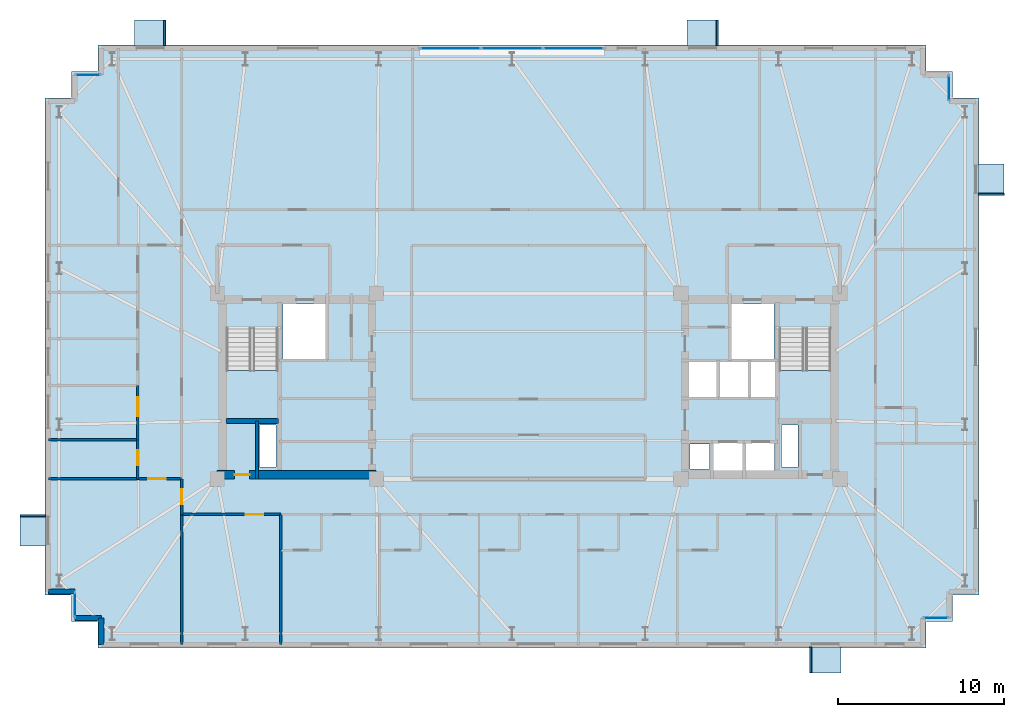
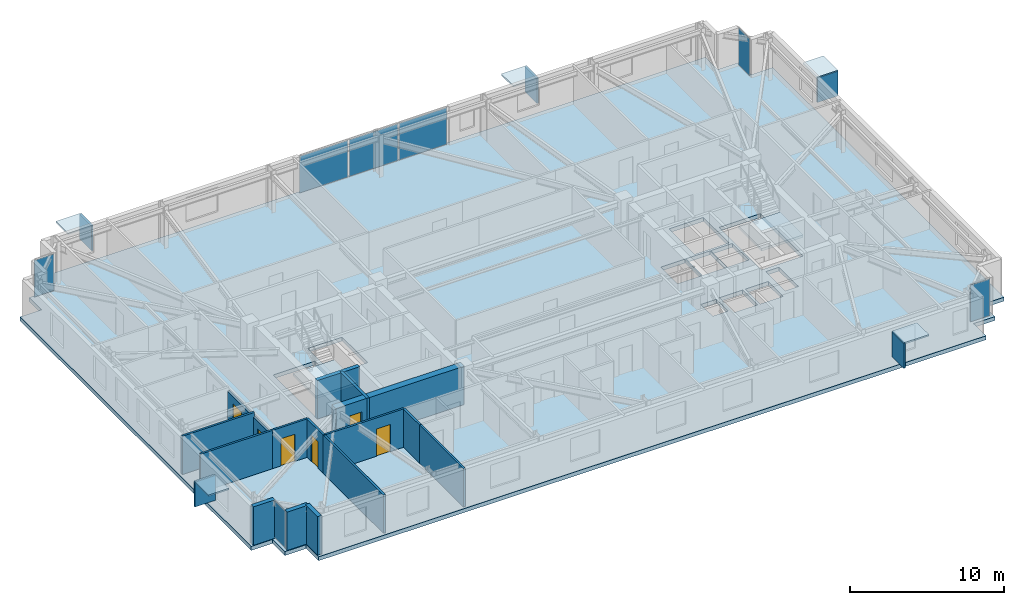
# One storey, part 11 of 18: 17 plates, 16 walls, 6 doors, 3 slabs, 6 openings, 7 elements without a shape of their own.
"""IFC4 building model written with IfcOpenShell, lengths in metres."""

from ifc_helpers import new_model, si_unit, direction, frame, frame_2d, origin, origin_2d, place, context, subcontext, project, spatial, polyline, rectangle, outline, extrude, material, layer, layer_set, type_object, element, fill, aggregate, save


model = new_model("IFC4")

# Units and contexts
model_context = context("Model", 3, precision=1e-05, world=origin(), true_north=direction((0.0, 1.0)))
body_context = subcontext(model_context, "Body", "Model", "MODEL_VIEW")
ifc_project = project(units=[si_unit("LENGTHUNIT", "METRE"), si_unit("AREAUNIT", "SQUARE_METRE"), si_unit("VOLUMEUNIT", "CUBIC_METRE"), si_unit("PLANEANGLEUNIT", "RADIAN"), si_unit("MASSUNIT", "GRAM", prefix="KILO")], contexts=[model_context])

# Site, building, storey
site_placement = place(None, origin())
site = spatial("IfcSite", under=ifc_project, at=site_placement, CompositionType="ELEMENT")
building_placement = place(site_placement, origin())
building = spatial("IfcBuilding", under=site, at=building_placement, Name="Qobustan Lattice House", CompositionType="ELEMENT")
storey_placement = place(building_placement, frame((0.0, 0.0, 154.449951171875)))
storey = spatial("IfcBuildingStorey", under=building, at=storey_placement, Name="L43", CompositionType="ELEMENT", Elevation=154.449951171875)

# Curtain wall, plate
ifc_material_1 = material(Name="Anodised aluminium and low-E glazing", Category="aluminium")
ifc_layer_1 = layer(ifc_material_1, 0.219970703125)
ifc_layer_set_1 = layer_set([ifc_layer_1], Name="Anodised aluminium and low-E glazing")
curtain_wall_type_1 = type_object("IfcCurtainWallType", Name="CW-FAC-02", PredefinedType="USERDEFINED", material=ifc_layer_set_1)
curtain_wall_1_placement = place(storey_placement, origin())
curtain_wall_1 = element("IfcCurtainWall", 1, at=curtain_wall_1_placement, inside=storey, type_object=curtain_wall_type_1, Name="L43 serrated corner faceted glazing 3", ObjectType="CURTAIN WALL", PredefinedType="USERDEFINED")
ifc_material_2 = material(Name="Clear low-E laminated glass", Category="glass")
ifc_layer_2 = layer(ifc_material_2, 0.031982421875)
ifc_layer_set_2 = layer_set([ifc_layer_2], Name="Clear low-E laminated glass")
plate_type_1 = type_object("IfcPlateType", Name="CWP-VISION-32", PredefinedType="CURTAIN_PANEL", material=ifc_layer_set_2)
plate_1_placement = place(storey_placement, frame((-27.39990234375, -13.199951171875, 0.06494140625), z_axis=(0.0, 0.0, 1.0), x_axis=(0.0, 1.0, 0.0)))
plate_1 = element("IfcPlate", 2, at=plate_1_placement, type_object=plate_type_1, Name="CW-F2 panel 1.1", PredefinedType="CURTAIN_PANEL", context=body_context, shape_type="SweptSolid", body=[
    extrude(rectangle(XDim=1.4599609375, YDim=0.031982421875, at=origin_2d()), origin(), (0.0, 0.0, 1.0), 2.909912109375),
])
aggregate(curtain_wall_1, [plate_1])

curtain_wall_2_placement = place(storey_placement, origin())
curtain_wall_2 = element("IfcCurtainWall", 3, at=curtain_wall_2_placement, inside=storey, type_object=curtain_wall_type_1, Name="L43 serrated corner faceted glazing 8", ObjectType="CURTAIN WALL", PredefinedType="USERDEFINED")
plate_2_placement = place(storey_placement, frame((-26.60009765625, 18.800048828125, 0.06494140625), z_axis=(0.0, 0.0, 1.0), x_axis=(1.0, 0.0, 0.0)))
plate_2 = element("IfcPlate", 4, at=plate_2_placement, type_object=plate_type_1, Name="CW-F2 panel 1.1", PredefinedType="CURTAIN_PANEL", context=body_context, shape_type="SweptSolid", body=[
    extrude(rectangle(XDim=1.4599609375, YDim=0.031982421875, at=origin_2d()), origin(), (0.0, 0.0, 1.0), 2.909912109375),
])
aggregate(curtain_wall_2, [plate_2])

# Curtain wall, plates
ifc_material_3 = material(Name="Anodised aluminium and low-E glazing", Category="aluminium")
ifc_layer_3 = layer(ifc_material_3, 0.219970703125)
ifc_layer_set_3 = layer_set([ifc_layer_3], Name="Anodised aluminium and low-E glazing")
curtain_wall_type_2 = type_object("IfcCurtainWallType", Name="CW-IWN-01", PredefinedType="USERDEFINED", material=ifc_layer_set_3)
curtain_wall_3_placement = place(storey_placement, origin())
curtain_wall_3 = element("IfcCurtainWall", 5, at=curtain_wall_3_placement, inside=storey, type_object=curtain_wall_type_2, Name="L43 IWAN-3 walnut-lined iwan curtain wall", ObjectType="CURTAIN WALL", PredefinedType="USERDEFINED")
plate_3_placement = place(storey_placement, frame((-4.71337890625, 20.39990234375, 0.06494140625), z_axis=(0.0, 0.0, 1.0), x_axis=(1.0, 0.0, 0.0)))
plate_3 = element("IfcPlate", 6, at=plate_3_placement, type_object=plate_type_1, Name="CW-IW panel 1.1", PredefinedType="CURTAIN_PANEL", context=body_context, shape_type="SweptSolid", body=[
    extrude(rectangle(XDim=3.61328125, YDim=0.031982421875, at=origin_2d()), origin(), (0.0, 0.0, 1.0), 2.909912109375),
])
plate_4_placement = place(storey_placement, frame((-1.0, 20.39990234375, 0.06494140625), z_axis=(0.0, 0.0, 1.0), x_axis=(1.0, 0.0, 0.0)))
plate_4 = element("IfcPlate", 7, at=plate_4_placement, type_object=plate_type_1, Name="CW-IW panel 2.1", PredefinedType="CURTAIN_PANEL", context=body_context, shape_type="SweptSolid", body=[
    extrude(rectangle(XDim=3.6533203125, YDim=0.031982421875, at=origin_2d()), origin(), (0.0, 0.0, 1.0), 2.909912109375),
])
plate_5_placement = place(storey_placement, frame((2.71337890625, 20.39990234375, 0.06494140625), z_axis=(0.0, 0.0, 1.0), x_axis=(1.0, 0.0, 0.0)))
plate_5 = element("IfcPlate", 8, at=plate_5_placement, type_object=plate_type_1, Name="CW-IW panel 3.1", PredefinedType="CURTAIN_PANEL", context=body_context, shape_type="SweptSolid", body=[
    extrude(rectangle(XDim=3.61328125, YDim=0.031982421875, at=origin_2d()), origin(), (0.0, 0.0, 1.0), 2.909912109375),
])
aggregate(curtain_wall_3, [plate_3, plate_4, plate_5])

# Curtain wall, plate
curtain_wall_4_placement = place(storey_placement, origin())
curtain_wall_4 = element("IfcCurtainWall", 9, at=curtain_wall_4_placement, inside=storey, type_object=curtain_wall_type_1, Name="L43 serrated corner faceted glazing 13", ObjectType="CURTAIN WALL", PredefinedType="USERDEFINED")
plate_6_placement = place(storey_placement, frame((25.39990234375, 18.0, 0.06494140625), z_axis=(0.0, 0.0, 1.0), x_axis=(0.0, -1.0, 0.0)))
plate_6 = element("IfcPlate", 10, at=plate_6_placement, type_object=plate_type_1, Name="CW-F2 panel 1.1", PredefinedType="CURTAIN_PANEL", context=body_context, shape_type="SweptSolid", body=[
    extrude(rectangle(XDim=1.4599609375, YDim=0.031982421875, at=origin_2d()), origin(), (0.0, 0.0, 1.0), 2.909912109375),
])
aggregate(curtain_wall_4, [plate_6])

curtain_wall_5_placement = place(storey_placement, origin())
curtain_wall_5 = element("IfcCurtainWall", 11, at=curtain_wall_5_placement, inside=storey, type_object=curtain_wall_type_1, Name="L43 serrated corner faceted glazing 18", ObjectType="CURTAIN WALL", PredefinedType="USERDEFINED")
plate_7_placement = place(storey_placement, frame((24.60009765625, -14.0, 0.06494140625), z_axis=(0.0, 0.0, 1.0), x_axis=(-1.0, 0.0, 0.0)))
plate_7 = element("IfcPlate", 12, at=plate_7_placement, type_object=plate_type_1, Name="CW-F2 panel 1.1", PredefinedType="CURTAIN_PANEL", context=body_context, shape_type="SweptSolid", body=[
    extrude(rectangle(XDim=1.4599609375, YDim=0.031982421875, at=origin_2d()), origin(), (0.0, 0.0, 1.0), 2.909912109375),
])
aggregate(curtain_wall_5, [plate_7])

# Plates
ifc_material_4 = material(Name="Qobustan limestone GFRC", Category="masonry")
ifc_layer_4 = layer(ifc_material_4, 0.1201171875)
ifc_layer_set_4 = layer_set([ifc_layer_4], Name="Qobustan limestone GFRC")
plate_type_2 = type_object("IfcPlateType", Name="SHD-HOOD-BROW", PredefinedType="USERDEFINED", material=ifc_layer_set_4)
plate_8_placement = place(storey_placement, frame((-29.929931640625, -8.719970703125, 2.699951171875), z_axis=(0.0, 0.0, 1.0), x_axis=(0.0, 1.0, 0.0)))
element("IfcPlate", 13, at=plate_8_placement, inside=storey, type_object=plate_type_2, Name="L43 splayed Qobustan stone hood brow", ObjectType="SUNSHADE", PredefinedType="USERDEFINED", context=body_context, shape_type="SweptSolid", body=[
    extrude(rectangle(XDim=1.889892578125, YDim=1.56005859375, at=origin_2d()), origin(), (0.0, 0.0, 1.0), 0.1201171875),
])
plate_9_placement = place(storey_placement, frame((-29.929931640625, -7.8349609375, 0.7900390625), z_axis=(0.0, 0.0, 1.0), x_axis=(0.0, 1.0, 0.0)))
element("IfcPlate", 14, at=plate_9_placement, inside=storey, type_object=plate_type_2, Name="L43 splayed Qobustan stone hood cheek", ObjectType="SUNSHADE", PredefinedType="USERDEFINED", context=body_context, shape_type="SweptSolid", body=[
    extrude(rectangle(XDim=0.1201171875, YDim=1.56005859375, at=origin_2d()), origin(), (0.0, 0.0, 1.0), 1.969970703125),
])
plate_10_placement = place(storey_placement, frame((-22.840087890625, 21.330078125, 2.699951171875), z_axis=(0.0, 0.0, 1.0), x_axis=(1.0, 0.0, 0.0)))
element("IfcPlate", 15, at=plate_10_placement, inside=storey, type_object=plate_type_2, Name="L43 splayed Qobustan stone hood brow", ObjectType="SUNSHADE", PredefinedType="USERDEFINED", context=body_context, shape_type="SweptSolid", body=[
    extrude(rectangle(XDim=1.889892578125, YDim=1.56005859375, at=origin_2d()), origin(), (0.0, 0.0, 1.0), 0.1201171875),
])
plate_11_placement = place(storey_placement, frame((-21.955078125, 21.330078125, 0.7900390625), z_axis=(0.0, 0.0, 1.0), x_axis=(1.0, 0.0, 0.0)))
element("IfcPlate", 16, at=plate_11_placement, inside=storey, type_object=plate_type_2, Name="L43 splayed Qobustan stone hood cheek", ObjectType="SUNSHADE", PredefinedType="USERDEFINED", context=body_context, shape_type="SweptSolid", body=[
    extrude(rectangle(XDim=0.1201171875, YDim=1.56005859375, at=origin_2d()), origin(), (0.0, 0.0, 1.0), 1.969970703125),
])
plate_12_placement = place(storey_placement, frame((10.52001953125, 21.330078125, 2.699951171875), z_axis=(0.0, 0.0, 1.0), x_axis=(1.0, 0.0, 0.0)))
element("IfcPlate", 17, at=plate_12_placement, inside=storey, type_object=plate_type_2, Name="L43 splayed Qobustan stone hood brow", ObjectType="SUNSHADE", PredefinedType="USERDEFINED", context=body_context, shape_type="SweptSolid", body=[
    extrude(rectangle(XDim=1.889892578125, YDim=1.56005859375, at=origin_2d()), origin(), (0.0, 0.0, 1.0), 0.1201171875),
])
plate_13_placement = place(storey_placement, frame((11.405029296875, 21.330078125, 0.7900390625), z_axis=(0.0, 0.0, 1.0), x_axis=(1.0, 0.0, 0.0)))
element("IfcPlate", 18, at=plate_13_placement, inside=storey, type_object=plate_type_2, Name="L43 splayed Qobustan stone hood cheek", ObjectType="SUNSHADE", PredefinedType="USERDEFINED", context=body_context, shape_type="SweptSolid", body=[
    extrude(rectangle(XDim=0.1201171875, YDim=1.56005859375, at=origin_2d()), origin(), (0.0, 0.0, 1.0), 1.969970703125),
])
plate_14_placement = place(storey_placement, frame((27.929931640625, 12.47998046875, 2.699951171875), z_axis=(0.0, 0.0, 1.0), x_axis=(0.0, -1.0, 0.0)))
element("IfcPlate", 19, at=plate_14_placement, inside=storey, type_object=plate_type_2, Name="L43 splayed Qobustan stone hood brow", ObjectType="SUNSHADE", PredefinedType="USERDEFINED", context=body_context, shape_type="SweptSolid", body=[
    extrude(rectangle(XDim=1.889892578125, YDim=1.56005859375, at=origin_2d()), origin(), (0.0, 0.0, 1.0), 0.1201171875),
])
plate_15_placement = place(storey_placement, frame((27.929931640625, 11.594970703125, 0.7900390625), z_axis=(0.0, 0.0, 1.0), x_axis=(0.0, -1.0, 0.0)))
element("IfcPlate", 20, at=plate_15_placement, inside=storey, type_object=plate_type_2, Name="L43 splayed Qobustan stone hood cheek", ObjectType="SUNSHADE", PredefinedType="USERDEFINED", context=body_context, shape_type="SweptSolid", body=[
    extrude(rectangle(XDim=0.1201171875, YDim=1.56005859375, at=origin_2d()), origin(), (0.0, 0.0, 1.0), 1.969970703125),
])
plate_16_placement = place(storey_placement, frame((17.919921875, -16.530029296875, 2.699951171875), z_axis=(0.0, 0.0, 1.0), x_axis=(-1.0, 0.0, 0.0)))
element("IfcPlate", 21, at=plate_16_placement, inside=storey, type_object=plate_type_2, Name="L43 splayed Qobustan stone hood brow", ObjectType="SUNSHADE", PredefinedType="USERDEFINED", context=body_context, shape_type="SweptSolid", body=[
    extrude(rectangle(XDim=1.889892578125, YDim=1.56005859375, at=origin_2d()), origin(), (0.0, 0.0, 1.0), 0.1201171875),
])
plate_17_placement = place(storey_placement, frame((17.034912109375, -16.530029296875, 0.7900390625), z_axis=(0.0, 0.0, 1.0), x_axis=(-1.0, 0.0, 0.0)))
element("IfcPlate", 22, at=plate_17_placement, inside=storey, type_object=plate_type_2, Name="L43 splayed Qobustan stone hood cheek", ObjectType="SUNSHADE", PredefinedType="USERDEFINED", context=body_context, shape_type="SweptSolid", body=[
    extrude(rectangle(XDim=0.1201171875, YDim=1.56005859375, at=origin_2d()), origin(), (0.0, 0.0, 1.0), 1.969970703125),
])

# Slab
ifc_material_5 = material(Name="Concrete C40/50", Category="concrete")
ifc_layer_5 = layer(ifc_material_5, 0.31005859375)
ifc_layer_set_5 = layer_set([ifc_layer_5], Name="Concrete C40/50")
slab_type_1 = type_object("IfcSlabType", Name="SLB-FLR-310", PredefinedType="FLOOR", material=ifc_layer_set_5)
slab_1_placement = place(storey_placement, frame((0.0, 0.0, -0.31005859375)))
element("IfcSlab", 23, at=slab_1_placement, inside=storey, type_object=slab_type_1, Name="L43 structural floor slab", PredefinedType="FLOOR", context=body_context, shape_type="SweptSolid", body=[
    extrude(outline(polyline([(-26.0, -15.800048828125), (24.0, -15.800048828125), (24.0, -14.199951171875), (25.60009765625, -14.199951171875), (25.60009765625, -12.60009765625), (27.199951171875, -12.60009765625), (27.199951171875, 17.39990234375), (25.60009765625, 17.39990234375), (25.60009765625, 19.0), (24.0, 19.0), (24.0, 20.60009765625), (-26.0, 20.60009765625), (-26.0, 19.0), (-27.60009765625, 19.0), (-27.60009765625, 17.39990234375), (-29.199951171875, 17.39990234375), (-29.199951171875, -12.60009765625), (-27.60009765625, -12.60009765625), (-27.60009765625, -14.199951171875), (-26.0, -14.199951171875), (-26.0, -15.800048828125)]), holes=[polyline([(-18.25, -2.050048828125), (-18.25, 3.489990234375), (-15.1298828125, 3.489990234375), (-15.1298828125, -2.050048828125), (-18.25, -2.050048828125)]), polyline([(15.1298828125, -2.050048828125), (15.1298828125, 3.489990234375), (18.25, 3.489990234375), (18.25, -2.050048828125), (15.1298828125, -2.050048828125)]), polyline([(-14.820068359375, 1.64990234375), (-14.820068359375, 4.9599609375), (-12.25, 4.9599609375), (-12.25, 1.64990234375), (-14.820068359375, 1.64990234375)]), polyline([(12.25, 1.64990234375), (12.25, 4.9599609375), (14.820068359375, 4.9599609375), (14.820068359375, 1.64990234375), (12.25, 1.64990234375)]), polyline([(-16.260009765625, -4.8798828125), (-16.260009765625, -2.360107421875), (-15.260009765625, -2.360107421875), (-15.260009765625, -4.8798828125), (-16.260009765625, -4.8798828125)]), polyline([(15.260009765625, -4.8798828125), (15.260009765625, -2.360107421875), (16.260009765625, -2.360107421875), (16.260009765625, -4.8798828125), (15.260009765625, -4.8798828125)]), polyline([(11.179931640625, -5.35009765625), (11.179931640625, -3.419921875), (12.919921875, -3.419921875), (12.919921875, -5.35009765625), (11.179931640625, -5.35009765625)]), polyline([(13.1201171875, -5.35009765625), (13.1201171875, -3.419921875), (14.85009765625, -3.419921875), (14.85009765625, -5.35009765625), (13.1201171875, -5.35009765625)]), polyline([(9.760009765625, -5.0), (9.760009765625, -3.47998046875), (10.93994140625, -3.47998046875), (10.93994140625, -5.0), (9.760009765625, -5.0)]), polyline([(13.360107421875, -0.679931640625), (13.360107421875, 1.47998046875), (14.97998046875, 1.47998046875), (14.97998046875, -0.679931640625), (13.360107421875, -0.679931640625)]), polyline([(9.6201171875, -0.679931640625), (9.6201171875, 1.47998046875), (11.43994140625, 1.47998046875), (11.43994140625, -0.679931640625), (9.6201171875, -0.679931640625)]), polyline([(11.5, -0.679931640625), (11.5, 1.47998046875), (13.320068359375, 1.47998046875), (13.320068359375, -0.679931640625), (11.5, -0.679931640625)])]), origin(), (0.0, 0.0, 1.0), 0.31005859375),
])

# Stair, slab
ifc_material_6 = material(Name="Concrete C40/50", Category="concrete")
stair_type = type_object("IfcStairType", Name="STR-CORE-DOGLEG", PredefinedType="HALF_TURN_STAIR", material=ifc_material_6)
stair_1_placement = place(storey_placement, origin())
stair_1 = element("IfcStair", 24, at=stair_1_placement, inside=storey, type_object=stair_type, Name="L43 West protected exit stair ST-W1", PredefinedType="HALF_TURN_STAIR")
ifc_material_7 = material(Name="Concrete C40/50", Category="concrete")
ifc_layer_6 = layer(ifc_material_7, 0.199951171875)
ifc_layer_set_6 = layer_set([ifc_layer_6], Name="Concrete C40/50")
slab_type_2 = type_object("IfcSlabType", Name="SLB-LANDING-200", PredefinedType="LANDING", material=ifc_layer_set_6)
slab_2_placement = place(storey_placement, frame((0.0, 0.0, 1.47509765625)))
slab_2 = element("IfcSlab", 25, at=slab_2_placement, type_object=slab_type_2, Name="ST-W1 landing 1", PredefinedType="LANDING", context=body_context, shape_type="SweptSolid", body=[
    extrude(outline(polyline([(-18.25, 0.93505859375), (-18.25, -2.050048828125), (-15.1298828125, -2.050048828125), (-15.1298828125, 0.93505859375), (-18.25, 0.93505859375)])), origin(), (0.0, 0.0, 1.0), 0.199951171875),
])
aggregate(stair_1, [slab_2])

stair_2_placement = place(storey_placement, origin())
stair_2 = element("IfcStair", 26, at=stair_2_placement, inside=storey, type_object=stair_type, Name="L43 East protected exit stair ST-E1", PredefinedType="HALF_TURN_STAIR")
slab_3_placement = place(storey_placement, frame((0.0, 0.0, 1.47509765625)))
slab_3 = element("IfcSlab", 27, at=slab_3_placement, type_object=slab_type_2, Name="ST-E1 landing 1", PredefinedType="LANDING", context=body_context, shape_type="SweptSolid", body=[
    extrude(outline(polyline([(15.1298828125, 0.93505859375), (15.1298828125, -2.050048828125), (18.25, -2.050048828125), (18.25, 0.93505859375), (15.1298828125, 0.93505859375)])), origin(), (0.0, 0.0, 1.0), 0.199951171875),
])
aggregate(stair_2, [slab_3])

# Wall, opening, door
ifc_material_8 = material(Name="Concrete C50/60", Category="concrete")
ifc_layer_7 = layer(ifc_material_8, 0.5)
ifc_layer_set_7 = layer_set([ifc_layer_7], Name="Concrete C50/60")
wall_type_1 = type_object("IfcWallType", Name="WAL-CORE-500", PredefinedType="SHEAR", material=ifc_layer_set_7)
wall_1_placement = place(storey_placement, frame((-18.800048828125, -5.35009765625, 0.0), z_axis=(0.0, 0.0, 1.0), x_axis=(1.0, 0.0, 0.0)))
wall_1 = element("IfcWall", 28, at=wall_1_placement, inside=storey, type_object=wall_type_1, Name="L43 split-core shear wall CW-S", PredefinedType="SHEAR", context=body_context, shape_type="SweptSolid", body=[
    extrude(rectangle(XDim=9.60009765625, YDim=0.5, at=frame_2d((4.800048828125, 0.0))), origin(), (0.0, 0.0, 1.0), 3.0400390625),
])
opening_1_placement = place(wall_1_placement, frame((1.050048828125, 0.0, 0.0)))
opening_1 = element("IfcOpeningElement", 29, at=opening_1_placement, cuts=wall_1, Name="Opening RD-01", PredefinedType="OPENING", context=body_context, shape_type="SweptSolid", body=[
    extrude(rectangle(XDim=0.89990234375, YDim=2.10009765625, at=frame_2d((0.449951171875, 1.050048828125))), frame((0.0, 0.260009765625, 0.0), z_axis=(0.0, -1.0, 0.0), x_axis=(1.0, 0.0, 0.0)), (0.0, 0.0, 1.0), 0.52001953125),
])
ifc_material_9 = material(Name="Persian walnut timber and steel frame door", Category="steel")
door_type_1 = type_object("IfcDoorType", Name="DOR-RISER-FD-900x2100", OperationType="NOTDEFINED", PredefinedType="DOOR", material=ifc_material_9)
door_1_placement = place(opening_1_placement, origin())
door_1 = element("IfcDoor", 30, at=door_1_placement, inside=storey, type_object=door_type_1, Name="L43 core service riser access door W", OperationType="SINGLE_SWING_RIGHT", OverallHeight=2.10009765625, OverallWidth=0.89990234375, PredefinedType="DOOR", context=body_context, shape_type="SweptSolid", body=[
    extrude(rectangle(XDim=0.89990234375, YDim=2.10009765625, at=frame_2d((0.449951171875, 1.050048828125))), frame((0.0, 0.02490234375, 0.0), z_axis=(0.0, -1.0, 0.0), x_axis=(1.0, 0.0, 0.0)), (0.0, 0.0, 1.0), 0.050048828125),
])
fill(opening_1, door_1)

# Walls
ifc_material_10 = material(Name="Concrete C50/60", Category="concrete")
ifc_layer_8 = layer(ifc_material_10, 0.280029296875)
ifc_layer_set_8 = layer_set([ifc_layer_8], Name="Concrete C50/60")
wall_type_2 = type_object("IfcWallType", Name="WAL-CORE-SPINE-280", PredefinedType="SHEAR", material=ifc_layer_set_8)
wall_2_placement = place(storey_placement, frame((-18.280029296875, -2.110107421875, 0.0), z_axis=(0.0, 0.0, 1.0), x_axis=(1.0, 0.0, 0.0)))
element("IfcWall", 31, at=wall_2_placement, inside=storey, type_object=wall_type_2, Name="L43 split-core shear wall CW-ST", PredefinedType="SHEAR", context=body_context, shape_type="SweptSolid", body=[
    extrude(rectangle(XDim=3.179931640625, YDim=0.300048828125, at=frame_2d((1.58984375, 0.0))), origin(), (0.0, 0.0, 1.0), 3.0400390625),
])
ifc_material_11 = material(Name="Precast concrete C40/50", Category="concrete")
ifc_layer_9 = layer(ifc_material_11, 0.320068359375)
ifc_layer_set_9 = layer_set([ifc_layer_9], Name="Precast concrete C40/50")
wall_type_3 = type_object("IfcWallType", Name="WAL-EXT-STONE-320", PredefinedType="SOLIDWALL", material=ifc_layer_set_9)
wall_3_placement = place(storey_placement, frame((-25.800048828125, -15.60009765625, 0.0), z_axis=(0.0, 0.0, 1.0), x_axis=(0.0, 1.0, 0.0)))
element("IfcWall", 32, at=wall_3_placement, inside=storey, type_object=wall_type_3, Name="L43 exterior limestone-clad wall 1", PredefinedType="SOLIDWALL", context=body_context, shape_type="SweptSolid", body=[
    extrude(rectangle(XDim=1.60009765625, YDim=0.320068359375, at=frame_2d((0.800048828125, 0.0))), origin(), (0.0, 0.0, 1.0), 3.0400390625),
])
wall_4_placement = place(storey_placement, frame((-25.800048828125, -14.0, 0.0), z_axis=(0.0, 0.0, 1.0), x_axis=(-1.0, 0.0, 0.0)))
element("IfcWall", 33, at=wall_4_placement, inside=storey, type_object=wall_type_3, Name="L43 exterior limestone-clad wall 2", PredefinedType="SOLIDWALL", context=body_context, shape_type="SweptSolid", body=[
    extrude(rectangle(XDim=1.599853515625, YDim=0.320068359375, at=frame_2d((0.7998046875, 0.0))), origin(), (0.0, 0.0, 1.0), 3.0400390625),
])
wall_5_placement = place(storey_placement, frame((-27.39990234375, -12.39990234375, 0.0), z_axis=(0.0, 0.0, 1.0), x_axis=(-1.0, 0.0, 0.0)))
element("IfcWall", 34, at=wall_5_placement, inside=storey, type_object=wall_type_3, Name="L43 exterior limestone-clad wall 4", PredefinedType="SOLIDWALL", context=body_context, shape_type="SweptSolid", body=[
    extrude(rectangle(XDim=1.60009765625, YDim=0.320068359375, at=frame_2d((0.800048828125, 0.0))), origin(), (0.0, 0.0, 1.0), 3.0400390625),
])

# Wall, opening, door
ifc_material_12 = material(Name="Acoustic twin-stud gypsum partition", Category="gypsum")
ifc_layer_10 = layer(ifc_material_12, 0.14990234375)
ifc_layer_set_10 = layer_set([ifc_layer_10], Name="Acoustic twin-stud gypsum partition")
wall_type_4 = type_object("IfcWallType", Name="WAL-PART-150", PredefinedType="PARTITIONING", material=ifc_layer_set_10)
wall_6_placement = place(storey_placement, frame((-20.949951171875, -7.75, 0.0), z_axis=(0.0, 0.0, 1.0), x_axis=(0.0, 1.0, 0.0)))
wall_6 = element("IfcWall", 35, at=wall_6_placement, inside=storey, type_object=wall_type_4, Name="L43 interior partition 43", PredefinedType="PARTITIONING", context=body_context, shape_type="SweptSolid", body=[
    extrude(rectangle(XDim=2.14990234375, YDim=0.14990234375, at=frame_2d((1.074951171875, 0.0))), origin(), (0.0, 0.0, 1.0), 3.0400390625),
])
opening_2_placement = place(wall_6_placement, frame((0.625, 0.0, 0.0)))
opening_2 = element("IfcOpeningElement", 36, at=opening_2_placement, cuts=wall_6, Name="Opening WD-01", PredefinedType="OPENING", context=body_context, shape_type="SweptSolid", body=[
    extrude(rectangle(XDim=0.89990234375, YDim=2.10009765625, at=frame_2d((0.449951171875, 1.050048828125))), frame((0.0, 0.0849609375, 0.0), z_axis=(0.0, -1.0, 0.0), x_axis=(1.0, 0.0, 0.0)), (0.0, 0.0, 1.0), 0.169921875),
])
ifc_material_13 = material(Name="Persian walnut timber and steel frame door", Category="steel")
door_type_2 = type_object("IfcDoorType", Name="DOR-WET-900x2100", OperationType="NOTDEFINED", PredefinedType="DOOR", material=ifc_material_13)
door_2_placement = place(opening_2_placement, origin())
door_2 = element("IfcDoor", 37, at=door_2_placement, inside=storey, type_object=door_type_2, Name="L43 South-west floor corridor to Reading study room L43WS door", OperationType="SINGLE_SWING_RIGHT", OverallHeight=2.10009765625, OverallWidth=0.89990234375, PredefinedType="DOOR", context=body_context, shape_type="SweptSolid", body=[
    extrude(rectangle(XDim=0.89990234375, YDim=2.10009765625, at=frame_2d((0.449951171875, 1.050048828125))), frame((0.0, 0.02490234375, 0.0), z_axis=(0.0, -1.0, 0.0), x_axis=(1.0, 0.0, 0.0)), (0.0, 0.0, 1.0), 0.050048828125),
])
fill(opening_2, door_2)

wall_7_placement = place(storey_placement, frame((-14.964111328125, -7.75, 0.0), z_axis=(0.0, 0.0, 1.0), x_axis=(-1.0, 0.0, 0.0)))
wall_7 = element("IfcWall", 38, at=wall_7_placement, inside=storey, type_object=wall_type_4, Name="L43 interior partition 44", PredefinedType="PARTITIONING", context=body_context, shape_type="SweptSolid", body=[
    extrude(rectangle(XDim=5.98583984375, YDim=0.14990234375, at=frame_2d((2.992919921875, 0.0))), origin(), (0.0, 0.0, 1.0), 3.0400390625),
])
opening_3_placement = place(wall_7_placement, frame((1.052001953125, 0.0, 0.0)))
opening_3 = element("IfcOpeningElement", 39, at=opening_3_placement, cuts=wall_7, Name="Opening ID-02", PredefinedType="OPENING", context=body_context, shape_type="SweptSolid", body=[
    extrude(rectangle(XDim=1.050048828125, YDim=2.14990234375, at=frame_2d((0.52490234375, 1.074951171875))), frame((0.0, 0.0849609375, 0.0), z_axis=(0.0, -1.0, 0.0), x_axis=(1.0, 0.0, 0.0)), (0.0, 0.0, 1.0), 0.169921875),
])
ifc_material_14 = material(Name="Persian walnut timber and steel frame door", Category="steel")
door_type_3 = type_object("IfcDoorType", Name="DOR-STUDY-1050x2150", OperationType="NOTDEFINED", PredefinedType="DOOR", material=ifc_material_14)
door_3_placement = place(opening_3_placement, origin())
door_3 = element("IfcDoor", 40, at=door_3_placement, inside=storey, type_object=door_type_3, Name="L43 South-west floor corridor to Focus study room S1 door", OperationType="SINGLE_SWING_LEFT", OverallHeight=2.14990234375, OverallWidth=1.050048828125, PredefinedType="DOOR", context=body_context, shape_type="SweptSolid", body=[
    extrude(rectangle(XDim=1.050048828125, YDim=2.14990234375, at=frame_2d((0.52490234375, 1.074951171875))), frame((0.0, 0.02490234375, 0.0), z_axis=(0.0, -1.0, 0.0), x_axis=(1.0, 0.0, 0.0)), (0.0, 0.0, 1.0), 0.050048828125),
])
fill(opening_3, door_3)

wall_8_placement = place(storey_placement, frame((-20.949951171875, -5.60009765625, 0.0), z_axis=(0.0, 0.0, 1.0), x_axis=(-1.0, 0.0, 0.0)))
wall_8 = element("IfcWall", 41, at=wall_8_placement, inside=storey, type_object=wall_type_4, Name="L43 interior partition 71", PredefinedType="PARTITIONING", context=body_context, shape_type="SweptSolid", body=[
    extrude(rectangle(XDim=2.650146484375, YDim=0.14990234375, at=frame_2d((1.3251953125, 0.0))), origin(), (0.0, 0.0, 1.0), 3.0400390625),
])
opening_4_placement = place(wall_8_placement, frame((0.965087890625, 0.0, 0.0)))
opening_4 = element("IfcOpeningElement", 42, at=opening_4_placement, cuts=wall_8, Name="Opening ID-02", PredefinedType="OPENING", context=body_context, shape_type="SweptSolid", body=[
    extrude(rectangle(XDim=1.050048828125, YDim=2.14990234375, at=frame_2d((0.52490234375, 1.074951171875))), frame((0.0, 0.0849609375, 0.0), z_axis=(0.0, -1.0, 0.0), x_axis=(1.0, 0.0, 0.0)), (0.0, 0.0, 1.0), 0.169921875),
])
door_4_placement = place(opening_4_placement, origin())
door_4 = element("IfcDoor", 43, at=door_4_placement, inside=storey, type_object=door_type_3, Name="L43 Residence entrance hall L43W to Reading study room L43WS door", OperationType="SINGLE_SWING_RIGHT", OverallHeight=2.14990234375, OverallWidth=1.050048828125, PredefinedType="DOOR", context=body_context, shape_type="SweptSolid", body=[
    extrude(rectangle(XDim=1.050048828125, YDim=2.14990234375, at=frame_2d((0.52490234375, 1.074951171875))), frame((0.0, 0.02490234375, 0.0), z_axis=(0.0, -1.0, 0.0), x_axis=(1.0, 0.0, 0.0)), (0.0, 0.0, 1.0), 0.050048828125),
])
fill(opening_4, door_4)

# Walls
wall_9_placement = place(storey_placement, frame((-20.949951171875, -7.75, 0.0), z_axis=(0.0, 0.0, 1.0), x_axis=(0.0, -1.0, 0.0)))
element("IfcWall", 44, at=wall_9_placement, inside=storey, type_object=wall_type_4, Name="L43 interior partition 82", PredefinedType="PARTITIONING", context=body_context, shape_type="SweptSolid", body=[
    extrude(rectangle(XDim=7.85009765625, YDim=0.14990234375, at=frame_2d((3.925048828125, 0.0))), origin(), (0.0, 0.0, 1.0), 3.0400390625),
])
wall_10_placement = place(storey_placement, frame((-14.964111328125, -9.89990234375, 0.0), z_axis=(0.0, 0.0, 1.0), x_axis=(0.0, -1.0, 0.0)))
element("IfcWall", 45, at=wall_10_placement, inside=storey, type_object=wall_type_4, Name="L43 interior partition 97", PredefinedType="PARTITIONING", context=body_context, shape_type="SweptSolid", body=[
    extrude(rectangle(XDim=5.7001953125, YDim=0.14990234375, at=frame_2d((2.85009765625, 0.0))), origin(), (0.0, 0.0, 1.0), 3.0400390625),
])

# Wall, opening, door
ifc_material_15 = material(Name="High-mass acoustic twin-stud partition", Category="gypsum")
ifc_layer_11 = layer(ifc_material_15, 0.1650390625)
ifc_layer_set_11 = layer_set([ifc_layer_11], Name="High-mass acoustic twin-stud partition")
wall_type_5 = type_object("IfcWallType", Name="WAL-PART-165", PredefinedType="PARTITIONING", material=ifc_layer_set_11)
wall_11_placement = place(storey_placement, frame((-23.60009765625, -3.25, 0.0), z_axis=(0.0, 0.0, 1.0), x_axis=(0.0, 1.0, 0.0)))
wall_11 = element("IfcWall", 46, at=wall_11_placement, inside=storey, type_object=wall_type_5, Name="L43 interior partition 73", PredefinedType="PARTITIONING", context=body_context, shape_type="SweptSolid", body=[
    extrude(rectangle(XDim=3.2900390625, YDim=0.1650390625, at=frame_2d((1.64501953125, 0.0))), origin(), (0.0, 0.0, 1.0), 2.695068359375),
])
opening_5_placement = place(wall_11_placement, frame((1.4375, 0.0, 0.0)))
opening_5 = element("IfcOpeningElement", 47, at=opening_5_placement, cuts=wall_11, Name="Opening ID-03", PredefinedType="OPENING", context=body_context, shape_type="SweptSolid", body=[
    extrude(rectangle(XDim=1.14990234375, YDim=2.14990234375, at=frame_2d((0.574951171875, 1.074951171875))), frame((0.0, 0.092529296875, 0.0), z_axis=(0.0, -1.0, 0.0), x_axis=(1.0, 0.0, 0.0)), (0.0, 0.0, 1.0), 0.18505859375),
])
ifc_material_16 = material(Name="Persian walnut timber and steel frame door", Category="steel")
door_type_4 = type_object("IfcDoorType", Name="DOR-KITCH-1150x2150", OperationType="NOTDEFINED", PredefinedType="DOOR", material=ifc_material_16)
door_5_placement = place(opening_5_placement, origin())
door_5 = element("IfcDoor", 48, at=door_5_placement, inside=storey, type_object=door_type_4, Name="L43 Residence entrance hall L43W to Shared kitchen L43W door", OperationType="SINGLE_SWING_RIGHT", OverallHeight=2.14990234375, OverallWidth=1.14990234375, PredefinedType="DOOR", context=body_context, shape_type="SweptSolid", body=[
    extrude(rectangle(XDim=1.14990234375, YDim=2.14990234375, at=frame_2d((0.574951171875, 1.074951171875))), frame((0.0, 0.02490234375, 0.0), z_axis=(0.0, -1.0, 0.0), x_axis=(1.0, 0.0, 0.0)), (0.0, 0.0, 1.0), 0.050048828125),
])
fill(opening_5, door_5)

# Wall
ifc_material_17 = material(Name="Concrete C40/50", Category="concrete")
ifc_layer_12 = layer(ifc_material_17, 0.199951171875)
ifc_layer_set_12 = layer_set([ifc_layer_12], Name="Concrete C40/50")
wall_type_6 = type_object("IfcWallType", Name="WAL-SHAFT-200", PredefinedType="PARTITIONING", material=ifc_layer_set_12)
wall_12_placement = place(storey_placement, frame((-16.39990234375, -5.60009765625, 0.0), z_axis=(0.0, 0.0, 1.0), x_axis=(0.0, 1.0, 0.0)))
element("IfcWall", 49, at=wall_12_placement, inside=storey, type_object=wall_type_6, Name="L43 interior partition 1", PredefinedType="PARTITIONING", context=body_context, shape_type="SweptSolid", body=[
    extrude(rectangle(XDim=3.489990234375, YDim=0.199951171875, at=frame_2d((1.7451171875, 0.0))), origin(), (0.0, 0.0, 1.0), 3.0400390625),
])

# Wall, opening, door
ifc_material_18 = material(Name="Moisture-resistant acoustic plumbing wall", Category="gypsum")
ifc_layer_13 = layer(ifc_material_18, 0.14990234375)
ifc_layer_set_13 = layer_set([ifc_layer_13], Name="Moisture-resistant acoustic plumbing wall")
wall_type_7 = type_object("IfcWallType", Name="WAL-WET-150", PredefinedType="PLUMBINGWALL", material=ifc_layer_set_13)
wall_13_placement = place(storey_placement, frame((-23.60009765625, -5.60009765625, 0.0), z_axis=(0.0, 0.0, 1.0), x_axis=(0.0, 1.0, 0.0)))
wall_13 = element("IfcWall", 50, at=wall_13_placement, inside=storey, type_object=wall_type_7, Name="L43 interior partition 72", PredefinedType="PLUMBINGWALL", context=body_context, shape_type="SweptSolid", body=[
    extrude(rectangle(XDim=2.35009765625, YDim=0.14990234375, at=frame_2d((1.175048828125, 0.0))), origin(), (0.0, 0.0, 1.0), 2.695068359375),
])
opening_6_placement = place(wall_13_placement, frame((0.833740234375, 0.0, 0.0)))
opening_6 = element("IfcOpeningElement", 51, at=opening_6_placement, cuts=wall_13, Name="Opening WD-01", PredefinedType="OPENING", context=body_context, shape_type="SweptSolid", body=[
    extrude(rectangle(XDim=0.89990234375, YDim=2.10009765625, at=frame_2d((0.449951171875, 1.050048828125))), frame((0.0, 0.0849609375, 0.0), z_axis=(0.0, -1.0, 0.0), x_axis=(1.0, 0.0, 0.0)), (0.0, 0.0, 1.0), 0.169921875),
])
door_6_placement = place(opening_6_placement, origin())
door_6 = element("IfcDoor", 52, at=door_6_placement, inside=storey, type_object=door_type_2, Name="L43 Residence entrance hall L43W to Shared bathroom L43W door", OperationType="SINGLE_SWING_LEFT", OverallHeight=2.10009765625, OverallWidth=0.89990234375, PredefinedType="DOOR", context=body_context, shape_type="SweptSolid", body=[
    extrude(rectangle(XDim=0.89990234375, YDim=2.10009765625, at=frame_2d((0.449951171875, 1.050048828125))), frame((0.0, 0.02490234375, 0.0), z_axis=(0.0, -1.0, 0.0), x_axis=(1.0, 0.0, 0.0)), (0.0, 0.0, 1.0), 0.050048828125),
])
fill(opening_6, door_6)

# Walls
for number, where, z_axis, x_axis, name in (
    (53, (-29.0, -5.60009765625, 0.0), (0.0, 0.0, 1.0), (1.0, 0.0, 0.0), "L43 interior partition 81"),
    (54, (-29.0, -3.25, 0.0), (0.0, 0.0, 1.0), (1.0, 0.0, 0.0), "L43 interior partition 83"),
):
    element("IfcWall", number, at=place(storey_placement, frame(where, z_axis=z_axis, x_axis=x_axis)), inside=storey, type_object=wall_type_7, Name=name, PredefinedType="PLUMBINGWALL", context=body_context, shape_type="SweptSolid", body=[
        extrude(rectangle(XDim=5.39990234375, YDim=0.14990234375, at=frame_2d((2.699951171875, 0.0))), origin(), (0.0, 0.0, 1.0), 3.0400390625),
    ])
wall_14_placement = place(storey_placement, frame((-14.964111328125, -7.75, 0.0), z_axis=(0.0, 0.0, 1.0), x_axis=(0.0, -1.0, 0.0)))
element("IfcWall", 55, at=wall_14_placement, inside=storey, type_object=wall_type_7, Name="L43 interior partition 98", PredefinedType="PLUMBINGWALL", context=body_context, shape_type="SweptSolid", body=[
    extrude(rectangle(XDim=2.14990234375, YDim=0.14990234375, at=frame_2d((1.074951171875, 0.0))), origin(), (0.0, 0.0, 1.0), 3.0400390625),
])

save(model, "model.ifc")
